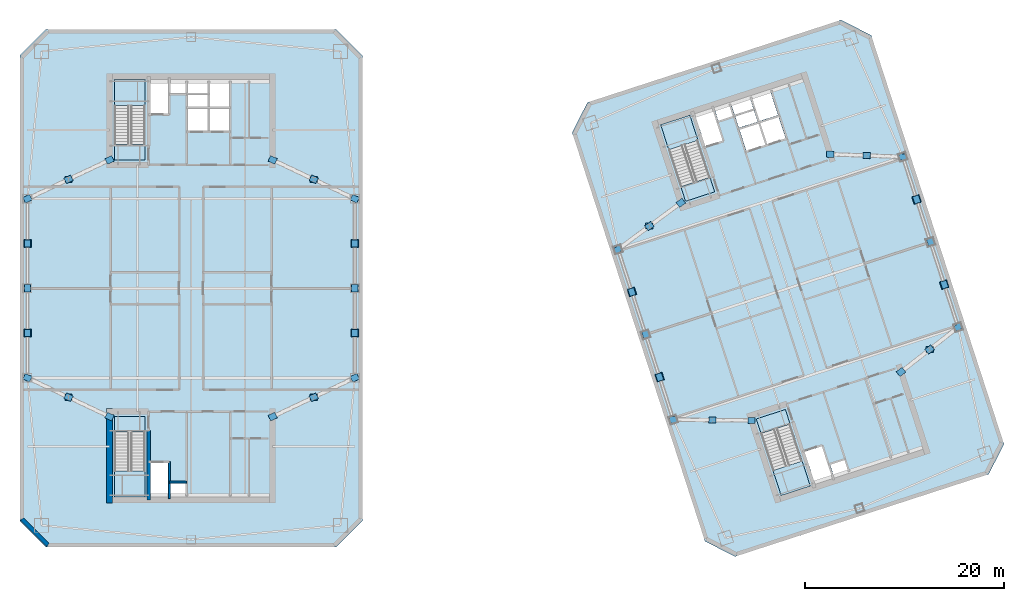
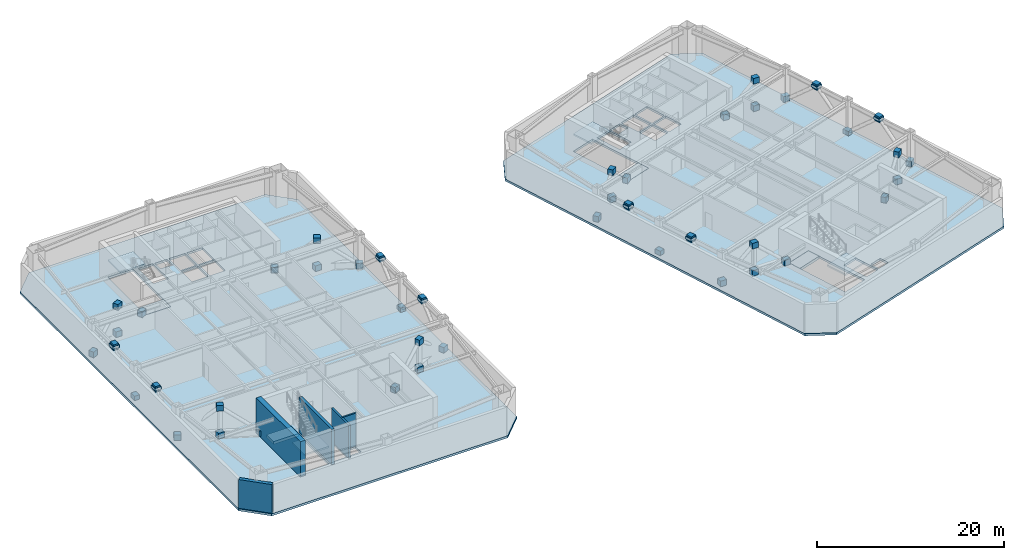
# One storey, part 9 of 17: 52 plates, 10 slabs, 5 walls, 4 elements without a shape of their own.
"""IFC4 building model written with IfcOpenShell, lengths in metres."""

import ifcopenshell
import ifcopenshell.guid

model = None  # the IFC model being written
_history = None  # IfcOwnerHistory: only IFC2X3 demands one
_inside = {}  # id of a spatial element -> (the spatial element, [elements in it])
_under = {}  # id of a project, library or spatial element -> (it, [spatial elements below it])
_declared = {}  # id of a project -> (the project, [libraries it declares])
_typed = {}  # id of a type object -> (the type object, [elements of that type])
_made_of = {}  # id of a material, layer set ... -> (it, [elements and type objects made of it])


def new_model(schema):
    """Start an empty IFC model of exactly this schema.

    Asked for "IFC4X3", IfcOpenShell would pick the latest addendum, in which some entities
    have other attributes; the version numbers below select the first issue.
    IFC2X3 requires an IfcOwnerHistory on every rooted entity: one is made here for all.
    """
    global model, _history
    if schema == "IFC4X3":
        model = ifcopenshell.file(schema_version=(4, 3, 0, 0))
    else:
        model = ifcopenshell.file(schema=schema)
    _inside.clear()
    _under.clear()
    _declared.clear()
    _typed.clear()
    _made_of.clear()
    _history = None
    if model.schema == "IFC2X3":
        org = make("IfcOrganization", Name="unknown")
        user = make(
            "IfcPersonAndOrganization",
            ThePerson=make("IfcPerson", FamilyName="unknown"),
            TheOrganization=org,
        )
        app = make(
            "IfcApplication",
            ApplicationDeveloper=org,
            Version="unknown",
            ApplicationFullName="unknown",
            ApplicationIdentifier="unknown",
        )
        _history = make(
            "IfcOwnerHistory",
            OwningUser=user,
            OwningApplication=app,
            ChangeAction="ADDED",
            CreationDate=0,
        )
    return model


def make(cls, **values):
    """One entity of the class cls with the attributes given. An attribute that is None is left unset."""
    return model.create_entity(
        cls, **{name: value for name, value in values.items() if value is not None}
    )


def rooted(cls, **values):
    """An entity with a GlobalId (a new one), such as an element, a storey or a relation."""
    return make(cls, GlobalId=ifcopenshell.guid.new(), OwnerHistory=_history, **values)


def si_unit(unit_type, name, prefix=None):
    """IfcSIUnit, for example si_unit("LENGTHUNIT", "METRE", prefix="MILLI")."""
    return make("IfcSIUnit", UnitType=unit_type, Prefix=prefix, Name=name)


def assignment(units):
    """IfcUnitAssignment: the units of a project."""
    return None if units is None else make("IfcUnitAssignment", Units=units)


def point(xyz):
    """IfcCartesianPoint."""
    return None if xyz is None else make("IfcCartesianPoint", Coordinates=xyz)


def direction(xyz):
    """IfcDirection."""
    return None if xyz is None else make("IfcDirection", DirectionRatios=xyz)


def frame(location, z_axis=None, x_axis=None):
    """IfcAxis2Placement3D, a coordinate frame: its origin and axes. An axis left out is left unset."""
    return make(
        "IfcAxis2Placement3D",
        Location=point(location),
        Axis=direction(z_axis),
        RefDirection=direction(x_axis),
    )


def frame_2d(location, x_axis=None):
    """IfcAxis2Placement2D, a coordinate frame in the plane: its origin and x axis."""
    return make(
        "IfcAxis2Placement2D", Location=point(location), RefDirection=direction(x_axis)
    )


def origin():
    """The frame at (0, 0, 0) with its axes left unset."""
    return frame((0.0, 0.0, 0.0))


def origin_2d():
    """The frame at (0, 0) in the plane with its x axis left unset."""
    return frame_2d((0.0, 0.0))


def place(relative_to, where):
    """IfcLocalPlacement: puts the frame where relative to a parent placement (None: the world)."""
    return make(
        "IfcLocalPlacement", PlacementRelTo=relative_to, RelativePlacement=where
    )


def context(
    kind, dimensions, precision=None, world=None, true_north=None, identifier=None
):
    """IfcGeometricRepresentationContext, for example the 3D "Model" context."""
    return make(
        "IfcGeometricRepresentationContext",
        ContextIdentifier=identifier,
        ContextType=kind,
        CoordinateSpaceDimension=dimensions,
        Precision=precision,
        WorldCoordinateSystem=world,
        TrueNorth=true_north,
    )


def subcontext(parent, identifier, kind, view, scale=None):
    """IfcGeometricRepresentationSubContext, for example "Body" below "Model"."""
    return make(
        "IfcGeometricRepresentationSubContext",
        ContextIdentifier=identifier,
        ContextType=kind,
        ParentContext=parent,
        TargetScale=scale,
        TargetView=view,
    )


def project(units=None, contexts=None):
    """IfcProject with its units and contexts."""
    return rooted(
        "IfcProject",
        Name="project",
        RepresentationContexts=contexts,
        UnitsInContext=assignment(units),
    )


def spatial(cls, under=None, at=None, **own):
    """A site, building, storey or space (cls), placed at a placement, below another one or the project."""
    s = rooted(cls, ObjectPlacement=at, **own)
    if under is not None:
        _under.setdefault(under.id(), (under, []))[1].append(s)
    return s


def polyline(points):
    """IfcPolyline through the points."""
    return make("IfcPolyline", Points=[point(p) for p in points])


def profile(cls, at=None, kind="AREA", **sizes):
    """A parametric profile (cls). Its sizes go by their IFC names, for example OverallWidth=200.0."""
    return make(cls, ProfileType=kind, Position=at, **sizes)


def rectangle(**sizes):
    """IfcRectangleProfileDef."""
    return profile("IfcRectangleProfileDef", **sizes)


def outline(outer, holes=None, kind="AREA"):
    """IfcArbitraryClosedProfileDef: a profile drawn as a closed curve; with holes, ...WithVoids."""
    if holes is None:
        return make("IfcArbitraryClosedProfileDef", ProfileType=kind, OuterCurve=outer)
    return make(
        "IfcArbitraryProfileDefWithVoids",
        ProfileType=kind,
        OuterCurve=outer,
        InnerCurves=holes,
    )


def extrude(swept, where, along, depth):
    """IfcExtrudedAreaSolid: the profile swept, set in the frame where, extruded along a direction by depth."""
    return make(
        "IfcExtrudedAreaSolid",
        SweptArea=swept,
        Position=where,
        ExtrudedDirection=direction(along),
        Depth=depth,
    )


def shape(context_of_items, identifier, shape_type, items):
    """IfcShapeRepresentation: the items that make up one representation, for example the "Body"."""
    return make(
        "IfcShapeRepresentation",
        ContextOfItems=context_of_items,
        RepresentationIdentifier=identifier,
        RepresentationType=shape_type,
        Items=items,
    )


def material(Name=None, Category=None):
    """IfcMaterial."""
    return make("IfcMaterial", Name=Name, Category=Category)


def layer(
    of_material, thickness, ventilated=None, Name=None, Category=None, Priority=None
):
    """IfcMaterialLayer: one layer of a wall or slab, of a material (None: an air gap)."""
    return make(
        "IfcMaterialLayer",
        Material=of_material,
        LayerThickness=thickness,
        IsVentilated=ventilated,
        Name=Name,
        Category=Category,
        Priority=Priority,
    )


def layer_set(layers, Name=None):
    """IfcMaterialLayerSet."""
    return make("IfcMaterialLayerSet", MaterialLayers=layers, LayerSetName=Name)


def made_of(thing, what):
    """Note that an element or type object is made of a material, layer set ...; save() writes the relation."""
    if what is not None:
        _made_of.setdefault(what.id(), (what, []))[1].append(thing)
    return thing


def type_object(cls, material=None, **own):
    """A type object (cls), such as IfcWallType, which elements share."""
    return made_of(rooted(cls, **own), material)


def element(
    cls,
    number,
    at=None,
    inside=None,
    cuts=None,
    type_object=None,
    material=None,
    context=None,
    identifier="Body",
    shape_type=None,
    held_by="IfcProductDefinitionShape",
    body=None,
    shapes=None,
    **own,
):
    """One element of the class cls, such as IfcWall. Its Tag is "e" and its number.

    at: its placement. inside: the storey or other place that contains it. cuts: it is an
    opening in that element (IfcRelVoidsElement). A single representation is given by context,
    identifier, shape_type and body (its items); several are given by shapes. held_by: the class
    of the entity that holds the representations. save() writes the other relations.
    """
    e = rooted(cls, Tag="e%d" % number, ObjectPlacement=at, **own)
    if body is not None:
        shapes = [shape(context, identifier, shape_type, body)]
    if shapes is not None:
        e.Representation = make(held_by, Representations=shapes)
    if inside is not None:
        _inside.setdefault(inside.id(), (inside, []))[1].append(e)
    if cuts is not None:
        rooted(
            "IfcRelVoidsElement", RelatingBuildingElement=cuts, RelatedOpeningElement=e
        )
    if type_object is not None:
        _typed.setdefault(type_object.id(), (type_object, []))[1].append(e)
    return made_of(e, material)


def aggregate(whole, parts):
    """IfcRelAggregates: a whole, such as a stair, and the parts it consists of."""
    return rooted("IfcRelAggregates", RelatingObject=whole, RelatedObjects=parts)


def save(model, path):
    """Write the relations noted so far, then the file.

    IfcRelAggregates (storeys below a building ...), IfcRelContainedInSpatialStructure (elements
    in a storey), IfcRelDefinesByType, IfcRelAssociatesMaterial and IfcRelDeclares: one each for
    every whole, place, type object, material and project.
    """
    for whole, parts in _under.values():
        aggregate(whole, parts)
    for where, things in _inside.values():
        rooted(
            "IfcRelContainedInSpatialStructure",
            RelatedElements=things,
            RelatingStructure=where,
        )
    for kind, things in _typed.values():
        rooted("IfcRelDefinesByType", RelatedObjects=things, RelatingType=kind)
    for what, things in _made_of.values():
        rooted("IfcRelAssociatesMaterial", RelatedObjects=things, RelatingMaterial=what)
    for by, libraries in _declared.values():
        rooted("IfcRelDeclares", RelatingContext=by, RelatedDefinitions=libraries)
    model.write(path)


model = new_model("IFC4")

# Units and contexts
model_context = context("Model", 3, precision=1e-05, world=origin(), true_north=direction((0.0, 1.0)))
body_context = subcontext(model_context, "Body", "Model", "MODEL_VIEW")
ifc_project = project(units=[si_unit("LENGTHUNIT", "METRE"), si_unit("AREAUNIT", "SQUARE_METRE"), si_unit("VOLUMEUNIT", "CUBIC_METRE"), si_unit("PLANEANGLEUNIT", "RADIAN"), si_unit("MASSUNIT", "GRAM", prefix="KILO")], contexts=[model_context])

# Site, building, storey
site_placement = place(None, origin())
site = spatial("IfcSite", under=ifc_project, at=site_placement, CompositionType="ELEMENT")
building_placement = place(site_placement, origin())
building = spatial("IfcBuilding", under=site, at=building_placement, Name="Qiaolan Cultural Towers", CompositionType="ELEMENT")
storey_placement = place(building_placement, frame((0.0, 0.0, 184.0)))
storey = spatial("IfcBuildingStorey", under=building, at=storey_placement, Name="L49", CompositionType="ELEMENT", Elevation=184.0)

# Plates
ifc_material_1 = material(Name="Steel Q355B", Category="steel")
ifc_layer_1 = layer(ifc_material_1, 0.035888671875)
ifc_layer_set_1 = layer_set([ifc_layer_1], Name="Steel Q355B")
plate_type_1 = type_object("IfcPlateType", Name="PL-CONN-36", PredefinedType="USERDEFINED", material=ifc_layer_set_1)
for number, where, z_axis, x_axis, name in (
    (1, (21.800048828125, 21.10009765625, 0.1298828125), (0.0, 0.0, 1.0), (-0.904072263711, 0.427379622804, 0.0), "L49 Brace End Connection Gusset Plate GP-02-0736"),
    (2, (17.675048828125, 23.050048828125, 3.7099609375), (0.0, 0.0, 1.0), (-0.904072263711, 0.427379622804, 0.0), "L49 Brace End Connection Gusset Plate GP-02-0737"),
    (3, (13.550048828125, 25.0, 0.1298828125), (0.0, 0.0, 1.0), (-0.904072263711, 0.427379622804, 0.0), "L49 Brace End Connection Gusset Plate GP-02-0738"),
    (4, (17.675048828125, 23.050048828125, 0.1298828125), (0.0, 0.0, 1.0), (1.0, 0.0, 0.0), "L49 Brace End Connection Gusset Plate GP-02-0739"),
    (5, (21.800048828125, 46.89990234375, 0.1298828125), (0.0, 0.0, 1.0), (0.904072263711, 0.427379622804, 0.0), "L49 Brace End Connection Gusset Plate GP-02-0740"),
    (6, (17.675048828125, 44.949951171875, 3.7099609375), (0.0, 0.0, 1.0), (0.904072263711, 0.427379622804, 0.0), "L49 Brace End Connection Gusset Plate GP-02-0741"),
    (7, (13.550048828125, 43.0, 0.1298828125), (0.0, 0.0, 1.0), (0.904072263711, 0.427379622804, 0.0), "L49 Brace End Connection Gusset Plate GP-02-0742"),
    (8, (17.675048828125, 44.949951171875, 0.1298828125), (0.0, 0.0, 1.0), (1.0, 0.0, 0.0), "L49 Brace End Connection Gusset Plate GP-02-0743"),
    (9, (38.199951171875, 21.10009765625, 0.1298828125), (0.0, 0.0, 1.0), (0.904072263711, 0.427379622804, 0.0), "L49 Brace End Connection Gusset Plate GP-02-0744"),
    (10, (42.324951171875, 23.050048828125, 3.7099609375), (0.0, 0.0, 1.0), (0.904072263711, 0.427379622804, 0.0), "L49 Brace End Connection Gusset Plate GP-02-0745"),
    (11, (46.449951171875, 25.0, 0.1298828125), (0.0, 0.0, 1.0), (0.904072263711, 0.427379622804, 0.0), "L49 Brace End Connection Gusset Plate GP-02-0746"),
    (12, (42.324951171875, 23.050048828125, 0.1298828125), (0.0, 0.0, 1.0), (1.0, 0.0, 0.0), "L49 Brace End Connection Gusset Plate GP-02-0747"),
    (13, (38.199951171875, 46.89990234375, 0.1298828125), (0.0, 0.0, 1.0), (-0.904072263711, 0.427379622804, 0.0), "L49 Brace End Connection Gusset Plate GP-02-0748"),
    (14, (42.324951171875, 44.949951171875, 3.7099609375), (0.0, 0.0, 1.0), (-0.904072263711, 0.427379622804, 0.0), "L49 Brace End Connection Gusset Plate GP-02-0749"),
    (15, (46.449951171875, 43.0, 0.1298828125), (0.0, 0.0, 1.0), (-0.904072263711, 0.427379622804, 0.0), "L49 Brace End Connection Gusset Plate GP-02-0750"),
    (16, (42.324951171875, 44.949951171875, 0.1298828125), (0.0, 0.0, 1.0), (1.0, 0.0, 0.0), "L49 Brace End Connection Gusset Plate GP-02-0751"),
    (17, (13.550048828125, 29.5, 3.81005859375), (0.0, 0.0, 1.0), (0.0, 1.0, 0.0), "L49 Brace End Connection Gusset Plate GP-02-0752"),
    (18, (13.550048828125, 34.0, -0.169921875), (0.0, 0.0, 1.0), (0.0, 1.0, 0.0), "L49 Brace End Connection Gusset Plate GP-02-0753"),
    (19, (13.550048828125, 38.5, 3.81005859375), (0.0, 0.0, 1.0), (0.0, 1.0, 0.0), "L49 Brace End Connection Gusset Plate GP-02-0754"),
    (20, (46.449951171875, 29.5, 3.81005859375), (0.0, 0.0, 1.0), (0.0, 1.0, 0.0), "L49 Brace End Connection Gusset Plate GP-02-0755"),
    (21, (46.449951171875, 34.0, -0.169921875), (0.0, 0.0, 1.0), (0.0, 1.0, 0.0), "L49 Brace End Connection Gusset Plate GP-02-0756"),
    (22, (46.449951171875, 38.5, 3.81005859375), (0.0, 0.0, 1.0), (0.0, 1.0, 0.0), "L49 Brace End Connection Gusset Plate GP-02-0757"),
    (23, (86.32568359375, 20.71435546875, 0.1298828125), (0.0, 0.0, 1.0), (-0.999953887757, 0.009603247345, 0.0), "L49 Brace End Connection Gusset Plate GP-02-0758"),
    (24, (82.396728515625, 20.751953125, 3.7099609375), (0.0, 0.0, 1.0), (-0.999953887757, 0.009603247345, 0.0), "L49 Brace End Connection Gusset Plate GP-02-0759"),
    (25, (78.4677734375, 20.789794921875, 0.1298828125), (0.0, 0.0, 1.0), (-0.999953887757, 0.009603247345, 0.0), "L49 Brace End Connection Gusset Plate GP-02-0760"),
    (26, (82.396728515625, 20.751953125, 0.1298828125), (0.0, 0.0, 1.0), (1.0, 0.0, 0.0), "L49 Brace End Connection Gusset Plate GP-02-0761"),
    (27, (79.21826171875, 42.588623046875, 0.1298828125), (0.0, 0.0, 1.0), (0.803335072805, 0.595527296437, 0.0), "L49 Brace End Connection Gusset Plate GP-02-0762"),
    (28, (76.061767578125, 40.248779296875, 3.7099609375), (0.0, 0.0, 1.0), (0.803335072805, 0.595527296437, 0.0), "L49 Brace End Connection Gusset Plate GP-02-0763"),
    (29, (72.905517578125, 37.90869140625, 0.1298828125), (0.0, 0.0, 1.0), (0.803335072805, 0.595527296437, 0.0), "L49 Brace End Connection Gusset Plate GP-02-0764"),
    (30, (76.061767578125, 40.248779296875, 0.1298828125), (0.0, 0.0, 1.0), (1.0, 0.0, 0.0), "L49 Brace End Connection Gusset Plate GP-02-0765"),
    (31, (101.352294921875, 25.5966796875, 0.1298828125), (0.0, 0.0, 1.0), (0.787470638141, 0.616352167244, 0.0), "L49 Brace End Connection Gusset Plate GP-02-0766"),
    (32, (104.223388671875, 27.843994140625, 3.7099609375), (0.0, 0.0, 1.0), (0.787470638141, 0.616352167244, 0.0), "L49 Brace End Connection Gusset Plate GP-02-0767"),
    (33, (107.094482421875, 30.09130859375, 0.1298828125), (0.0, 0.0, 1.0), (0.787470638141, 0.616352167244, 0.0), "L49 Brace End Connection Gusset Plate GP-02-0768"),
    (34, (104.223388671875, 27.843994140625, 0.1298828125), (0.0, 0.0, 1.0), (1.0, 0.0, 0.0), "L49 Brace End Connection Gusset Plate GP-02-0769"),
    (35, (94.244873046875, 47.47119140625, 0.1298828125), (0.0, 0.0, 1.0), (-0.999359842327, 0.03577576755, 0.0), "L49 Brace End Connection Gusset Plate GP-02-0770"),
    (36, (97.888671875, 47.340576171875, 3.7099609375), (0.0, 0.0, 1.0), (-0.999359842327, 0.03577576755, 0.0), "L49 Brace End Connection Gusset Plate GP-02-0771"),
    (37, (101.5322265625, 47.210205078125, 0.1298828125), (0.0, 0.0, 1.0), (-0.999359842327, 0.03577576755, 0.0), "L49 Brace End Connection Gusset Plate GP-02-0772"),
    (38, (97.888671875, 47.340576171875, 0.1298828125), (0.0, 0.0, 1.0), (1.0, 0.0, 0.0), "L49 Brace End Connection Gusset Plate GP-02-0773"),
    (39, (77.0771484375, 25.069580078125, 3.81005859375), (0.0, 0.0, 1.0), (-0.309017027573, 0.951056505508, 0.0), "L49 Brace End Connection Gusset Plate GP-02-0774"),
    (40, (75.6865234375, 29.349365234375, -0.169921875), (0.0, 0.0, 1.0), (-0.309017027573, 0.951056505508, 0.0), "L49 Brace End Connection Gusset Plate GP-02-0775"),
    (41, (74.296142578125, 33.629150390625, 3.81005859375), (0.0, 0.0, 1.0), (-0.309016994375, 0.951056516295, 0.0), "L49 Brace End Connection Gusset Plate GP-02-0776"),
    (42, (105.703857421875, 34.370849609375, 3.81005859375), (0.0, 0.0, 1.0), (-0.309016994375, 0.951056516295, 0.0), "L49 Brace End Connection Gusset Plate GP-02-0777"),
    (43, (104.3134765625, 38.650634765625, -0.169921875), (0.0, 0.0, 1.0), (-0.309016994375, 0.951056516295, 0.0), "L49 Brace End Connection Gusset Plate GP-02-0778"),
    (44, (102.9228515625, 42.930419921875, 3.81005859375), (0.0, 0.0, 1.0), (-0.309017027573, 0.951056505508, 0.0), "L49 Brace End Connection Gusset Plate GP-02-0779"),
):
    element("IfcPlate", number, at=place(storey_placement, frame(where, z_axis=z_axis, x_axis=x_axis)), inside=storey, type_object=plate_type_1, Name=name, ObjectType="GUSSET_PLATE", PredefinedType="USERDEFINED", context=body_context, shape_type="SweptSolid", body=[
        extrude(rectangle(XDim=0.739990234375, YDim=0.6201171875, at=origin_2d()), origin(), (0.0, 0.0, 1.0), 0.739990234375),
    ])
ifc_material_2 = material(Name="Steel Q355B", Category="steel")
ifc_layer_2 = layer(ifc_material_2, 0.030029296875)
ifc_layer_set_2 = layer_set([ifc_layer_2], Name="Steel Q355B")
plate_type_2 = type_object("IfcPlateType", Name="PL-ENDCAP-30", PredefinedType="USERDEFINED", material=ifc_layer_set_2)
for number, where, z_axis, x_axis, name in (
    (45, (13.550048828125, 29.5, 4.0048828125), (0.0, 0.0, 1.0), (1.0, 0.0, 0.0), "Belt Truss Apex Seal Plate CP-01"),
    (46, (13.550048828125, 38.5, 4.0048828125), (0.0, 0.0, 1.0), (1.0, 0.0, 0.0), "Belt Truss Apex Seal Plate CP-01"),
    (47, (46.449951171875, 29.5, 4.0048828125), (0.0, 0.0, 1.0), (1.0, 0.0, 0.0), "Belt Truss Apex Seal Plate CP-01"),
    (48, (46.449951171875, 38.5, 4.0048828125), (0.0, 0.0, 1.0), (1.0, 0.0, 0.0), "Belt Truss Apex Seal Plate CP-01"),
    (49, (77.0771484375, 25.069580078125, 4.0048828125), (0.0, 0.0, 1.0), (0.951056516295, 0.309016994375, 0.0), "Belt Truss Apex Seal Plate CP-01"),
    (50, (74.296142578125, 33.629150390625, 4.0048828125), (0.0, 0.0, 1.0), (0.951056516295, 0.309016994375, 0.0), "Belt Truss Apex Seal Plate CP-01"),
    (51, (105.703857421875, 34.370849609375, 4.0048828125), (0.0, 0.0, 1.0), (0.951056516295, 0.309016994375, 0.0), "Belt Truss Apex Seal Plate CP-01"),
    (52, (102.9228515625, 42.930419921875, 4.0048828125), (0.0, 0.0, 1.0), (0.951056516295, 0.309016994375, 0.0), "Belt Truss Apex Seal Plate CP-01"),
):
    element("IfcPlate", number, at=place(storey_placement, frame(where, z_axis=z_axis, x_axis=x_axis)), inside=storey, type_object=plate_type_2, Name=name, ObjectType="BASE_PLATE", PredefinedType="USERDEFINED", context=body_context, shape_type="SweptSolid", body=[
        extrude(rectangle(XDim=0.800048828125, YDim=0.800048828125, at=origin_2d()), origin(), (0.0, 0.0, 1.0), 0.35009765625),
    ])

# Slabs
ifc_material_3 = material(Name="Concrete C50", Category="concrete")
ifc_layer_3 = layer(ifc_material_3, 0.280029296875)
ifc_layer_set_3 = layer_set([ifc_layer_3], Name="Concrete C50")
slab_type_1 = type_object("IfcSlabType", Name="SL-REF-280", PredefinedType="FLOOR", material=ifc_layer_set_3)
slab_1_placement = place(storey_placement, frame((0.0, 0.0, -0.280029296875)))
element("IfcSlab", 53, at=slab_1_placement, inside=storey, type_object=slab_type_1, Name="L49 West Tower Floor Slab", PredefinedType="FLOOR", context=body_context, shape_type="SweptSolid", body=[
    extrude(outline(polyline([(15.39990234375, 8.0), (44.60009765625, 8.0), (47.199951171875, 10.60009765625), (47.199951171875, 57.39990234375), (44.60009765625, 60.0), (15.39990234375, 60.0), (12.800048828125, 57.39990234375), (12.800048828125, 10.60009765625), (15.39990234375, 8.0)]), holes=[polyline([(22.300048828125, 21.10009765625), (22.300048828125, 13.0), (25.3798828125, 13.0), (25.3798828125, 21.10009765625), (22.300048828125, 21.10009765625)]), polyline([(25.3798828125, 46.89990234375), (25.3798828125, 55.0), (22.300048828125, 55.0), (22.300048828125, 46.89990234375), (25.3798828125, 46.89990234375)]), polyline([(25.89990234375, 13.199951171875), (27.75, 13.199951171875), (27.75, 16.449951171875), (25.89990234375, 16.449951171875), (25.89990234375, 13.199951171875)]), polyline([(27.93994140625, 13.25), (29.449951171875, 13.25), (29.449951171875, 14.419921875), (27.93994140625, 14.419921875), (27.93994140625, 13.25)]), polyline([(25.89990234375, 51.550048828125), (27.75, 51.550048828125), (27.75, 54.800048828125), (25.89990234375, 54.800048828125), (25.89990234375, 51.550048828125)]), polyline([(27.93994140625, 53.580078125), (29.449951171875, 53.580078125), (29.449951171875, 54.75), (27.93994140625, 54.75), (27.93994140625, 53.580078125)]), polyline([(29.679931640625, 49.820068359375), (31.679931640625, 49.820068359375), (31.679931640625, 52.080078125), (29.679931640625, 52.080078125), (29.679931640625, 49.820068359375)]), polyline([(31.8798828125, 49.820068359375), (33.820068359375, 49.820068359375), (33.820068359375, 52.080078125), (31.8798828125, 52.080078125), (31.8798828125, 49.820068359375)]), polyline([(29.679931640625, 52.27001953125), (31.659912109375, 52.27001953125), (31.659912109375, 54.75), (29.679931640625, 54.75), (29.679931640625, 52.27001953125)]), polyline([(31.8798828125, 52.27001953125), (33.820068359375, 52.27001953125), (33.820068359375, 54.75), (31.8798828125, 54.75), (31.8798828125, 52.27001953125)])]), origin(), (0.0, 0.0, 1.0), 0.280029296875),
])
slab_2_placement = place(storey_placement, frame((0.0, 0.0, -0.280029296875)))
element("IfcSlab", 54, at=slab_2_placement, inside=storey, type_object=slab_type_1, Name="L49 East Tower Floor Slab", PredefinedType="FLOOR", context=body_context, shape_type="SweptSolid", body=[
    extrude(outline(polyline([(84.67236328125, 7.033935546875), (110.16064453125, 15.3154296875), (111.701416015625, 18.339599609375), (98.351806640625, 59.42529296875), (95.32763671875, 60.966064453125), (69.83935546875, 52.6845703125), (68.298583984375, 49.660400390625), (81.648193359375, 8.57470703125), (84.67236328125, 7.033935546875)]), holes=[polyline([(86.80126953125, 20.868896484375), (89.30419921875, 13.165283203125), (92.2333984375, 14.116943359375), (89.73046875, 21.820556640625), (86.80126953125, 20.868896484375)]), polyline([(82.623046875, 43.69482421875), (80.1201171875, 51.3984375), (77.190673828125, 50.44677734375), (79.69384765625, 42.7431640625), (82.623046875, 43.69482421875)]), polyline([(92.666259765625, 14.468017578125), (94.42578125, 15.03955078125), (93.42138671875, 18.130615234375), (91.661865234375, 17.558837890625), (92.666259765625, 14.468017578125)]), polyline([(94.5908203125, 15.14599609375), (96.027099609375, 15.612548828125), (95.66552734375, 16.725341796875), (94.2294921875, 16.258544921875), (94.5908203125, 15.14599609375)]), polyline([(81.6806640625, 48.278076171875), (83.440185546875, 48.849609375), (82.435791015625, 51.940673828125), (80.67626953125, 51.368896484375), (81.6806640625, 48.278076171875)]), polyline([(82.993408203125, 50.839111328125), (84.4296875, 51.3056640625), (84.068115234375, 52.41845703125), (82.632080078125, 51.95166015625), (82.993408203125, 50.839111328125)]), polyline([(85.810302734375, 47.80078125), (87.71240234375, 48.418701171875), (87.013916015625, 50.568115234375), (85.11181640625, 49.9501953125), (85.810302734375, 47.80078125)]), polyline([(87.902587890625, 48.480712890625), (89.74755859375, 49.080078125), (89.04931640625, 51.2294921875), (87.2041015625, 50.6298828125), (87.902587890625, 48.480712890625)]), polyline([(85.05322265625, 50.130859375), (86.936279296875, 50.74267578125), (86.169921875, 53.101318359375), (84.286865234375, 52.489501953125), (85.05322265625, 50.130859375)]), polyline([(87.1455078125, 50.810791015625), (88.990478515625, 51.41015625), (88.22412109375, 53.768798828125), (86.379150390625, 53.169189453125), (87.1455078125, 50.810791015625)])]), origin(), (0.0, 0.0, 1.0), 0.280029296875),
])

# Stair, slab
ifc_material_4 = material(Name="Concrete C45", Category="concrete")
stair_type = type_object("IfcStairType", Name="STR-CORE-1500", PredefinedType="HALF_TURN_STAIR", material=ifc_material_4)
stair_1_placement = place(storey_placement, origin())
stair_1 = element("IfcStair", 55, at=stair_1_placement, inside=storey, type_object=stair_type, Name="L49 Smokeproof Exit Stair ST-W1", PredefinedType="HALF_TURN_STAIR")
ifc_material_5 = material(Name="Concrete C45", Category="concrete")
ifc_layer_4 = layer(ifc_material_5, 0.199951171875)
ifc_layer_set_4 = layer_set([ifc_layer_4], Name="Concrete C45")
slab_type_2 = type_object("IfcSlabType", Name="SL-STAIR-LAND", PredefinedType="LANDING", material=ifc_layer_set_4)
slab_3_placement = place(storey_placement, frame((0.0, 0.0, 2.10009765625)))
slab_3 = element("IfcSlab", 56, at=slab_3_placement, type_object=slab_type_2, Name="ST-W1 landing 1", PredefinedType="LANDING", context=body_context, shape_type="SweptSolid", body=[
    extrude(outline(polyline([(22.300048828125, 15.6513671875), (22.300048828125, 13.0), (25.3798828125, 13.0), (25.3798828125, 15.6513671875), (22.300048828125, 15.6513671875)])), origin(), (0.0, 0.0, 1.0), 0.199951171875),
])
aggregate(stair_1, [slab_3])

stair_2_placement = place(storey_placement, origin())
stair_2 = element("IfcStair", 57, at=stair_2_placement, inside=storey, type_object=stair_type, Name="L49 Smokeproof Exit Stair ST-W2", PredefinedType="HALF_TURN_STAIR")
slab_4_placement = place(storey_placement, frame((0.0, 0.0, 2.10009765625)))
slab_4 = element("IfcSlab", 58, at=slab_4_placement, type_object=slab_type_2, Name="ST-W2 landing 1", PredefinedType="LANDING", context=body_context, shape_type="SweptSolid", body=[
    extrude(outline(polyline([(25.3798828125, 52.3486328125), (25.3798828125, 55.0), (22.300048828125, 55.0), (22.300048828125, 52.3486328125), (25.3798828125, 52.3486328125)])), origin(), (0.0, 0.0, 1.0), 0.199951171875),
])
aggregate(stair_2, [slab_4])

stair_3_placement = place(storey_placement, origin())
stair_3 = element("IfcStair", 59, at=stair_3_placement, inside=storey, type_object=stair_type, Name="L49 Smokeproof Exit Stair ST-E1", PredefinedType="HALF_TURN_STAIR")
slab_5_placement = place(storey_placement, frame((0.0, 0.0, 2.10009765625)))
slab_5 = element("IfcSlab", 60, at=slab_5_placement, type_object=slab_type_2, Name="ST-E1 landing 1", PredefinedType="LANDING", context=body_context, shape_type="SweptSolid", body=[
    extrude(outline(polyline([(88.48486328125, 15.686767578125), (89.30419921875, 13.165283203125), (92.2333984375, 14.116943359375), (91.414306640625, 16.638671875), (88.48486328125, 15.686767578125)])), origin(), (0.0, 0.0, 1.0), 0.199951171875),
])
aggregate(stair_3, [slab_5])

stair_4_placement = place(storey_placement, origin())
stair_4 = element("IfcStair", 61, at=stair_4_placement, inside=storey, type_object=stair_type, Name="L49 Smokeproof Exit Stair ST-E2", PredefinedType="HALF_TURN_STAIR")
slab_6_placement = place(storey_placement, frame((0.0, 0.0, 2.10009765625)))
slab_6 = element("IfcSlab", 62, at=slab_6_placement, type_object=slab_type_2, Name="ST-E2 landing 1", PredefinedType="LANDING", context=body_context, shape_type="SweptSolid", body=[
    extrude(outline(polyline([(80.939208984375, 48.876953125), (80.1201171875, 51.3984375), (77.190673828125, 50.44677734375), (78.010009765625, 47.925048828125), (80.939208984375, 48.876953125)])), origin(), (0.0, 0.0, 1.0), 0.199951171875),
])
aggregate(stair_4, [slab_6])

# Slabs
ifc_material_6 = material(Name="Concrete C40", Category="concrete")
ifc_layer_5 = layer(ifc_material_6, 0.360107421875)
ifc_layer_set_5 = layer_set([ifc_layer_5], Name="Concrete C40")
slab_type_3 = type_object("IfcSlabType", Name="SL-STFLR-360", PredefinedType="LANDING", material=ifc_layer_set_5)
slab_7_placement = place(storey_placement, frame((0.0, 0.0, -0.360107421875)))
element("IfcSlab", 63, at=slab_7_placement, inside=storey, type_object=slab_type_3, Name="L49 ST-W1 Stair Floor Landing Slab", PredefinedType="LANDING", context=body_context, shape_type="SweptSolid", body=[
    extrude(outline(polyline([(22.302001953125, 21.097900390625), (22.302001953125, 19.548583984375), (25.3779296875, 19.548583984375), (25.3779296875, 21.097900390625), (22.302001953125, 21.097900390625)])), origin(), (0.0, 0.0, 1.0), 0.360107421875),
])
slab_8_placement = place(storey_placement, frame((0.0, 0.0, -0.360107421875)))
element("IfcSlab", 64, at=slab_8_placement, inside=storey, type_object=slab_type_3, Name="L49 ST-W2 Stair Floor Landing Slab", PredefinedType="LANDING", context=body_context, shape_type="SweptSolid", body=[
    extrude(outline(polyline([(25.3779296875, 46.902099609375), (25.3779296875, 48.451416015625), (22.302001953125, 48.451416015625), (22.302001953125, 46.902099609375), (25.3779296875, 46.902099609375)])), origin(), (0.0, 0.0, 1.0), 0.360107421875),
])
slab_9_placement = place(storey_placement, frame((0.0, 0.0, -0.360107421875)))
element("IfcSlab", 65, at=slab_9_placement, inside=storey, type_object=slab_type_3, Name="L49 ST-E1 Stair Floor Landing Slab", PredefinedType="LANDING", context=body_context, shape_type="SweptSolid", body=[
    extrude(outline(polyline([(86.8037109375, 20.867431640625), (87.282470703125, 19.39404296875), (90.2080078125, 20.3447265625), (89.729248046875, 21.818115234375), (86.8037109375, 20.867431640625)])), origin(), (0.0, 0.0, 1.0), 0.360107421875),
])
slab_10_placement = place(storey_placement, frame((0.0, 0.0, -0.360107421875)))
element("IfcSlab", 66, at=slab_10_placement, inside=storey, type_object=slab_type_3, Name="L49 ST-E2 Stair Floor Landing Slab", PredefinedType="LANDING", context=body_context, shape_type="SweptSolid", body=[
    extrude(outline(polyline([(82.62060546875, 43.6962890625), (82.141845703125, 45.169677734375), (79.21630859375, 44.21923828125), (79.695068359375, 42.74560546875), (82.62060546875, 43.6962890625)])), origin(), (0.0, 0.0, 1.0), 0.360107421875),
])

# Walls
ifc_material_7 = material(Name="Concrete C50", Category="concrete")
ifc_layer_6 = layer(ifc_material_7, 0.35009765625)
ifc_layer_set_6 = layer_set([ifc_layer_6], Name="Concrete C50")
wall_type_1 = type_object("IfcWallType", Name="WL-CORE-350", PredefinedType="SHEAR", material=ifc_layer_set_6)
wall_1_placement = place(storey_placement, frame((25.719970703125, 19.699951171875, 0.0), z_axis=(0.0, 0.0, 1.0), x_axis=(0.0, -1.0, 0.0)))
element("IfcWall", 67, at=wall_1_placement, inside=storey, type_object=wall_type_1, Name="L49 T1-CS Stair Core Dividing Web", PredefinedType="SHEAR", context=body_context, shape_type="SweptSolid", body=[
    extrude(rectangle(XDim=6.97998046875, YDim=0.35009765625, at=frame_2d((3.489990234375, 0.0))), origin(), (0.0, 0.0, 1.0), 4.60009765625),
])
ifc_material_8 = material(Name="Concrete C55", Category="concrete")
ifc_layer_7 = layer(ifc_material_8, 0.60009765625)
ifc_layer_set_7 = layer_set([ifc_layer_7], Name="Concrete C55")
wall_type_2 = type_object("IfcWallType", Name="WL-CORE-600", PredefinedType="SHEAR", material=ifc_layer_set_7)
wall_2_placement = place(storey_placement, frame((21.800048828125, 21.89990234375, 0.0), z_axis=(0.0, 0.0, 1.0), x_axis=(0.0, -1.0, 0.0)))
element("IfcWall", 68, at=wall_2_placement, inside=storey, type_object=wall_type_2, Name="L49 T1-CS West Core Shear Wall", PredefinedType="SHEAR", context=body_context, shape_type="SweptSolid", body=[
    extrude(rectangle(XDim=9.47998046875, YDim=0.60009765625, at=frame_2d((4.739990234375, 0.0))), origin(), (0.0, 0.0, 1.0), 4.60009765625),
])
ifc_material_9 = material(Name="Precast Concrete C50 Honed Stone Pier", Category="masonry")
ifc_layer_8 = layer(ifc_material_9, 0.39990234375)
ifc_layer_set_8 = layer_set([ifc_layer_8], Name="Precast Concrete C50 Honed Stone Pier")
wall_type_3 = type_object("IfcWallType", Name="WL-EXT-PIER-400", PredefinedType="SOLIDWALL", material=ifc_layer_set_8)
wall_3_placement = place(storey_placement, frame((15.60009765625, 8.199951171875, 0.0), z_axis=(0.0, 0.0, 1.0), x_axis=(-0.707106781187, 0.707106781187, 0.0)))
element("IfcWall", 69, at=wall_3_placement, inside=storey, type_object=wall_type_3, Name="L49 West Tower Precast Pier Facade Wall F8", PredefinedType="SOLIDWALL", context=body_context, shape_type="SweptSolid", body=[
    extrude(rectangle(XDim=3.677001953125, YDim=0.39990234375, at=frame_2d((1.83837890625, 0.0))), origin(), (0.0, 0.0, 1.0), 3.760009765625),
])
ifc_material_10 = material(Name="Concrete C35 Fire Wall", Category="concrete")
ifc_layer_9 = layer(ifc_material_10, 0.199951171875)
ifc_layer_set_9 = layer_set([ifc_layer_9], Name="Concrete C35 Fire Wall")
wall_type_4 = type_object("IfcWallType", Name="WL-FIRE-200", PredefinedType="PARTITIONING", material=ifc_layer_set_9)
wall_4_placement = place(storey_placement, frame((27.820068359375, 16.550048828125, 0.0), z_axis=(0.0, 0.0, 1.0), x_axis=(0.0, -1.0, 0.0)))
element("IfcWall", 70, at=wall_4_placement, inside=storey, type_object=wall_type_4, Name="L49 T1-CS Firefighting Hoistway East Wall", PredefinedType="PARTITIONING", context=body_context, shape_type="SweptSolid", body=[
    extrude(rectangle(XDim=3.699951171875, YDim=0.199951171875, at=frame_2d((1.85009765625, 0.0))), origin(), (0.0, 0.0, 1.0), 4.324951171875),
])
wall_5_placement = place(storey_placement, frame((27.820068359375, 14.52001953125, 0.0), z_axis=(0.0, 0.0, 1.0), x_axis=(1.0, 0.0, 0.0)))
element("IfcWall", 71, at=wall_5_placement, inside=storey, type_object=wall_type_4, Name="L49 T1-CS Pressurization Shaft Front Wall", PredefinedType="PARTITIONING", context=body_context, shape_type="SweptSolid", body=[
    extrude(rectangle(XDim=1.72998046875, YDim=0.199951171875, at=frame_2d((0.864990234375, 0.0))), origin(), (0.0, 0.0, 1.0), 4.324951171875),
])

save(model, "model.ifc")
